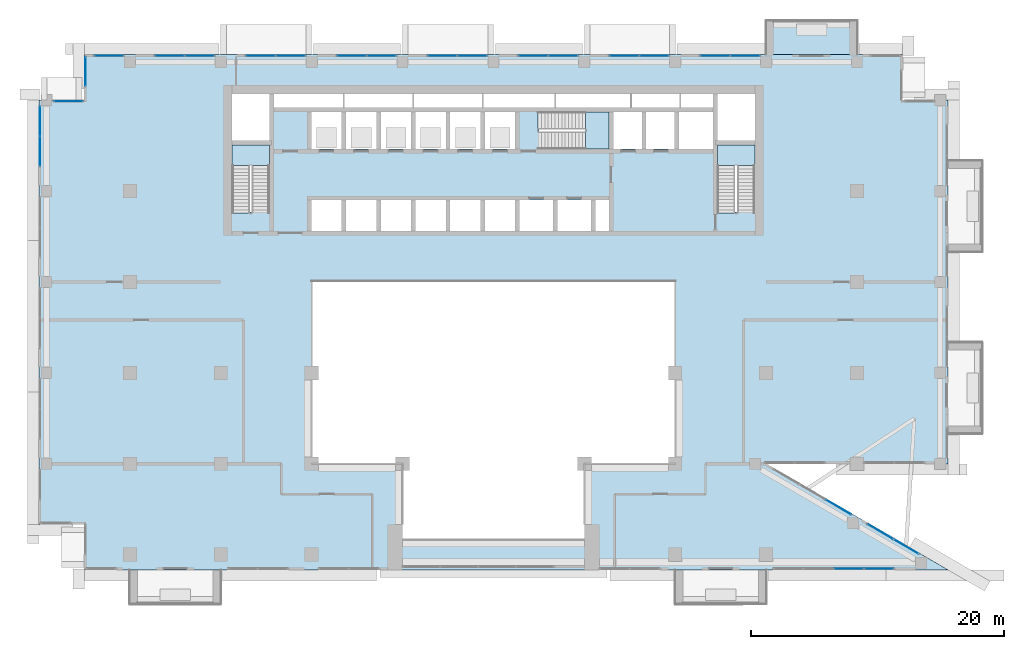
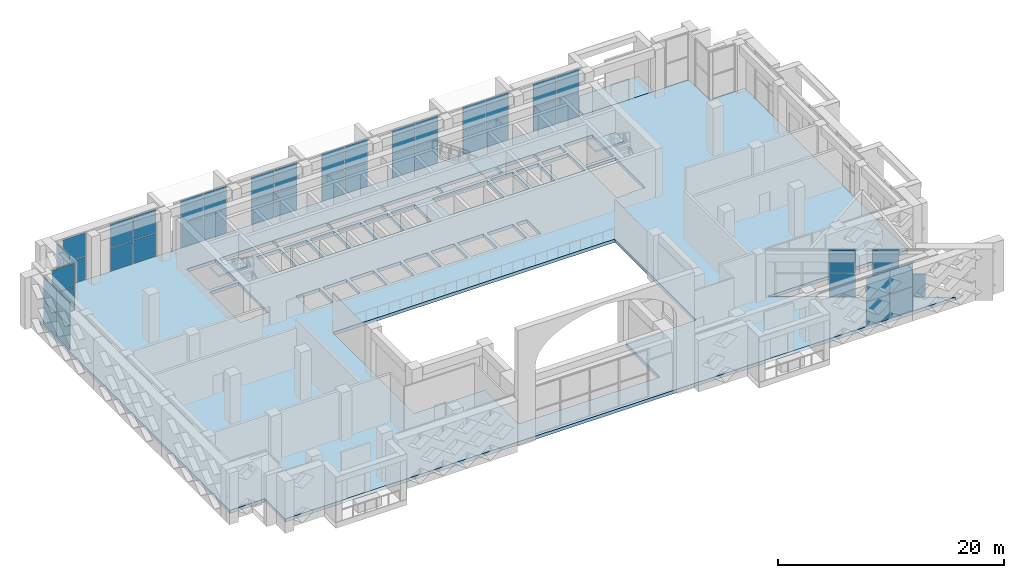
# One storey, part 13 of 25: 47 plates, 5 slabs, 17 elements without a shape of their own.
"""IFC4 building model written with IfcOpenShell, lengths in metres."""

from ifc_helpers import new_model, si_unit, direction, frame, origin, origin_2d, place, context, subcontext, project, spatial, polyline, rectangle, outline, extrude, source, transform, mapped, material, layer, layer_set, type_object, element, aggregate, save


model = new_model("IFC4")

# Units and contexts
model_context = context("Model", 3, precision=1e-05, world=origin(), true_north=direction((0.0, 1.0)))
body_context = subcontext(model_context, "Body", "Model", "MODEL_VIEW")
ifc_project = project(units=[si_unit("LENGTHUNIT", "METRE"), si_unit("AREAUNIT", "SQUARE_METRE"), si_unit("VOLUMEUNIT", "CUBIC_METRE"), si_unit("PLANEANGLEUNIT", "RADIAN"), si_unit("MASSUNIT", "GRAM", prefix="KILO")], contexts=[model_context])

# Site, building, storey
site_placement = place(None, origin())
site = spatial("IfcSite", under=ifc_project, at=site_placement, CompositionType="ELEMENT")
building_placement = place(site_placement, origin())
building = spatial("IfcBuilding", under=site, at=building_placement, Name="Saffron Iwan Residences", CompositionType="ELEMENT")
storey_placement = place(building_placement, frame((0.0, 0.0, 137.5)))
storey = spatial("IfcBuildingStorey", under=building, at=storey_placement, Name="L36", CompositionType="ELEMENT", Elevation=137.5)

# Slabs
ifc_material_1 = material(Name="Concrete C50/60 white painted", Category="concrete")
ifc_layer_1 = layer(ifc_material_1, 0.60009765625)
ifc_layer_set_1 = layer_set([ifc_layer_1], Name="Concrete C50/60 white painted")
slab_type_1 = type_object("IfcSlabType", Name="BALCONY FRAME SLAB 600", PredefinedType="FLOOR", material=ifc_layer_set_1)
slab_1_placement = place(storey_placement, frame((0.0, 0.0, -0.60009765625)))
element("IfcSlab", 1, at=slab_1_placement, inside=storey, type_object=slab_type_1, Name="Balcony frame slab L36 F5-0", PredefinedType="FLOOR", context=body_context, shape_type="SweptSolid", body=[
    extrude(outline(polyline([(79.199951171875, 83.10009765625), (72.0, 83.10009765625), (72.0, 80.39990234375), (79.199951171875, 80.39990234375), (79.199951171875, 83.10009765625)])), origin(), (0.0, 0.0, 1.0), 0.60009765625),
])
ifc_material_2 = material(Name="Concrete C40/50", Category="concrete")
ifc_layer_2 = layer(ifc_material_2, 0.35009765625)
ifc_layer_set_2 = layer_set([ifc_layer_2], Name="Concrete C40/50")
slab_type_2 = type_object("IfcSlabType", Name="PT PLATE 350 C40/50", PredefinedType="FLOOR", material=ifc_layer_set_2)
slab_2_placement = place(storey_placement, frame((0.0, 0.0, -0.35009765625)))
element("IfcSlab", 2, at=slab_2_placement, inside=storey, type_object=slab_type_2, Name="Floor slab L36", PredefinedType="FLOOR", context=body_context, shape_type="SweptSolid", body=[
    extrude(outline(polyline([(14.39990234375, 43.199951171875), (14.39990234375, 76.800048828125), (18.0, 76.800048828125), (18.0, 80.39990234375), (82.800048828125, 80.39990234375), (82.800048828125, 76.800048828125), (86.39990234375, 76.800048828125), (86.39990234375, 48.0), (72.0, 48.0), (86.39990234375, 39.60009765625), (18.0, 39.60009765625), (18.0, 43.199951171875), (14.39990234375, 43.199951171875)]), holes=[polyline([(64.800048828125, 48.0), (64.800048828125, 62.39990234375), (36.0, 62.39990234375), (36.0, 48.0), (43.199951171875, 48.0), (43.199951171875, 42.0), (57.60009765625, 42.0), (57.60009765625, 48.0), (64.800048828125, 48.0)]), polyline([(38.375, 68.875), (35.97509765625, 68.875), (35.97509765625, 66.449951171875), (38.375, 66.449951171875), (38.375, 68.875)]), polyline([(41.125, 66.449951171875), (41.125, 68.875), (38.72509765625, 68.875), (38.72509765625, 66.449951171875), (41.125, 66.449951171875)]), polyline([(43.875, 66.449951171875), (43.875, 68.875), (41.47509765625, 68.875), (41.47509765625, 66.449951171875), (43.875, 66.449951171875)]), polyline([(46.625, 66.449951171875), (46.625, 68.875), (44.22509765625, 68.875), (44.22509765625, 66.449951171875), (46.625, 66.449951171875)]), polyline([(49.375, 66.449951171875), (49.375, 68.875), (46.97509765625, 68.875), (46.97509765625, 66.449951171875), (49.375, 66.449951171875)]), polyline([(32.64990234375, 73.25), (29.699951171875, 73.25), (29.699951171875, 67.949951171875), (29.699951171875, 67.8505859375), (31.10009765625, 67.8505859375), (31.10009765625, 67.949951171875), (32.64990234375, 67.949951171875), (32.64990234375, 73.25)]), polyline([(38.375, 72.925048828125), (38.375, 75.875), (35.97509765625, 75.875), (35.97509765625, 72.925048828125), (38.375, 72.925048828125)]), polyline([(41.125, 72.925048828125), (41.125, 75.875), (38.72509765625, 75.875), (38.72509765625, 72.925048828125), (41.125, 72.925048828125)]), polyline([(43.875, 72.925048828125), (43.875, 75.875), (41.47509765625, 75.875), (41.47509765625, 72.925048828125), (43.875, 72.925048828125)]), polyline([(46.625, 72.925048828125), (46.625, 75.875), (44.22509765625, 75.875), (44.22509765625, 72.925048828125), (46.625, 72.925048828125)]), polyline([(49.375, 72.925048828125), (49.375, 75.875), (46.97509765625, 75.875), (46.97509765625, 72.925048828125), (49.375, 72.925048828125)]), polyline([(32.64990234375, 73.60009765625), (32.64990234375, 77.300048828125), (29.699951171875, 77.300048828125), (29.699951171875, 73.60009765625), (32.64990234375, 73.60009765625)]), polyline([(38.5, 76.22509765625), (38.5, 77.300048828125), (33.0, 77.300048828125), (33.0, 76.22509765625), (38.5, 76.22509765625)]), polyline([(44.0, 76.22509765625), (44.0, 77.300048828125), (38.60009765625, 77.300048828125), (38.60009765625, 76.22509765625), (44.0, 76.22509765625)]), polyline([(49.5, 76.22509765625), (49.5, 77.300048828125), (44.10009765625, 77.300048828125), (44.10009765625, 76.22509765625), (49.5, 76.22509765625)]), polyline([(52.125, 68.875), (49.72509765625, 68.875), (49.72509765625, 66.449951171875), (52.125, 66.449951171875), (52.125, 68.875)]), polyline([(55.125, 66.449951171875), (55.125, 68.875), (52.47509765625, 68.875), (52.47509765625, 66.449951171875), (55.125, 66.449951171875)]), polyline([(58.125, 66.449951171875), (58.125, 68.875), (55.47509765625, 68.875), (55.47509765625, 66.449951171875), (58.125, 66.449951171875)]), polyline([(59.550048828125, 66.449951171875), (59.550048828125, 68.875), (58.47509765625, 68.875), (58.47509765625, 66.449951171875), (59.550048828125, 66.449951171875)]), polyline([(71.10009765625, 73.25), (68.14990234375, 73.25), (68.14990234375, 67.949951171875), (68.14990234375, 67.8505859375), (69.550048828125, 67.8505859375), (69.550048828125, 67.949951171875), (71.10009765625, 67.949951171875), (71.10009765625, 73.25)]), polyline([(52.125, 72.925048828125), (52.125, 75.875), (49.72509765625, 75.875), (49.72509765625, 72.925048828125), (52.125, 72.925048828125)]), polyline([(53.925537109375, 74.47509765625), (54.02490234375, 74.47509765625), (54.02490234375, 72.925048828125), (59.550048828125, 72.925048828125), (59.550048828125, 75.875), (54.02490234375, 75.875), (53.925537109375, 75.875), (53.925537109375, 74.47509765625)]), polyline([(62.14990234375, 72.925048828125), (62.14990234375, 75.875), (59.89990234375, 75.875), (59.89990234375, 72.925048828125), (62.14990234375, 72.925048828125)]), polyline([(64.75, 72.925048828125), (64.75, 75.875), (62.5, 75.875), (62.5, 72.925048828125), (64.75, 72.925048828125)]), polyline([(67.800048828125, 72.925048828125), (67.800048828125, 75.875), (65.10009765625, 75.875), (65.10009765625, 72.925048828125), (67.800048828125, 72.925048828125)]), polyline([(71.10009765625, 73.60009765625), (71.10009765625, 77.300048828125), (68.14990234375, 77.300048828125), (68.14990234375, 73.60009765625), (71.10009765625, 73.60009765625)]), polyline([(55.25, 76.22509765625), (55.25, 77.300048828125), (49.60009765625, 77.300048828125), (49.60009765625, 76.22509765625), (55.25, 76.22509765625)]), polyline([(61.25, 76.22509765625), (61.25, 77.300048828125), (55.35009765625, 77.300048828125), (55.35009765625, 76.22509765625), (61.25, 76.22509765625)]), polyline([(65.14990234375, 76.22509765625), (65.14990234375, 77.300048828125), (61.35009765625, 77.300048828125), (61.35009765625, 76.22509765625), (65.14990234375, 76.22509765625)]), polyline([(67.800048828125, 76.22509765625), (67.800048828125, 77.300048828125), (65.25, 77.300048828125), (65.25, 76.22509765625), (67.800048828125, 76.22509765625)])]), origin(), (0.0, 0.0, 1.0), 0.35009765625),
])

# Stair, slab
ifc_material_3 = material(Name="Concrete C50/60", Category="concrete")
stair_type = type_object("IfcStairType", Name="Stair ST-CORE", PredefinedType="HALF_TURN_STAIR", material=ifc_material_3)
stair_1_placement = place(storey_placement, origin())
stair_1 = element("IfcStair", 3, at=stair_1_placement, inside=storey, type_object=stair_type, Name="L36 Exit Stair ST-W", PredefinedType="HALF_TURN_STAIR")
ifc_layer_3 = layer(ifc_material_3, 0.199951171875)
ifc_layer_set_3 = layer_set([ifc_layer_3], Name="Concrete C50/60")
slab_type_3 = type_object("IfcSlabType", Name="Stair landing SL-RC", PredefinedType="LANDING", material=ifc_layer_set_3)
slab_3_placement = place(storey_placement, frame((0.0, 0.0, 2.5498046875)))
slab_3 = element("IfcSlab", 4, at=slab_3_placement, type_object=slab_type_3, Name="ST-W landing 1", PredefinedType="LANDING", context=body_context, shape_type="SweptSolid", body=[
    extrude(outline(polyline([(32.64990234375, 71.6298828125), (32.64990234375, 73.25), (29.699951171875, 73.25), (29.699951171875, 71.6298828125), (32.64990234375, 71.6298828125)])), origin(), (0.0, 0.0, 1.0), 0.2001953125),
])
aggregate(stair_1, [slab_3])

stair_2_placement = place(storey_placement, origin())
stair_2 = element("IfcStair", 5, at=stair_2_placement, inside=storey, type_object=stair_type, Name="L36 Exit Stair ST-C", PredefinedType="HALF_TURN_STAIR")
slab_4_placement = place(storey_placement, frame((0.0, 0.0, 2.5498046875)))
slab_4 = element("IfcSlab", 6, at=slab_4_placement, type_object=slab_type_3, Name="ST-C landing 1", PredefinedType="LANDING", context=body_context, shape_type="SweptSolid", body=[
    extrude(outline(polyline([(57.705078125, 72.925048828125), (59.550048828125, 72.925048828125), (59.550048828125, 75.875), (57.705078125, 75.875), (57.705078125, 72.925048828125)])), origin(), (0.0, 0.0, 1.0), 0.2001953125),
])
aggregate(stair_2, [slab_4])

stair_3_placement = place(storey_placement, origin())
stair_3 = element("IfcStair", 7, at=stair_3_placement, inside=storey, type_object=stair_type, Name="L36 Exit Stair ST-E", PredefinedType="HALF_TURN_STAIR")
slab_5_placement = place(storey_placement, frame((0.0, 0.0, 2.5498046875)))
slab_5 = element("IfcSlab", 8, at=slab_5_placement, type_object=slab_type_3, Name="ST-E landing 1", PredefinedType="LANDING", context=body_context, shape_type="SweptSolid", body=[
    extrude(outline(polyline([(71.10009765625, 71.6298828125), (71.10009765625, 73.25), (68.14990234375, 73.25), (68.14990234375, 71.6298828125), (71.10009765625, 71.6298828125)])), origin(), (0.0, 0.0, 1.0), 0.2001953125),
])
aggregate(stair_3, [slab_5])

# Curtain wall, plates
ifc_material_4 = material(Name="Clear glass, laminated double glazed", Category="glass")
ifc_layer_4 = layer(ifc_material_4, 0.14990234375)
ifc_layer_set_4 = layer_set([ifc_layer_4], Name="Clear glass, laminated double glazed")
curtain_wall_type = type_object("IfcCurtainWallType", Name="CW-C SKY LOBBY GLAZING", PredefinedType="NOTDEFINED", material=ifc_layer_set_4)
curtain_wall_1_placement = place(storey_placement, origin())
curtain_wall_1 = element("IfcCurtainWall", 9, at=curtain_wall_1_placement, inside=storey, type_object=curtain_wall_type, Name="Glazing L36 F0.1", PredefinedType="NOTDEFINED")
ifc_layer_5 = layer(ifc_material_4, 0.028076171875)
ifc_layer_set_5 = layer_set([ifc_layer_5], Name="Clear glass, laminated double glazed")
plate_type = type_object("IfcPlateType", Name="CW-C PANEL 28", PredefinedType="CURTAIN_PANEL", material=ifc_layer_set_5)
shared_shape_1 = source(origin(), body_context, "Body", "SweptSolid", [
    extrude(rectangle(XDim=2.31005859375, YDim=0.028076171875, at=origin_2d()), origin(), (0.0, 0.0, 1.0), 2.510009765625),
])
plate_1_placement = place(storey_placement, frame((83.0869140625, 41.43994140625, 0.06005859375), z_axis=(0.0, 0.0, 1.0), x_axis=(-0.863778900842, 0.503871025622, 0.0)))
plate_1 = element("IfcPlate", 10, at=plate_1_placement, type_object=plate_type, Name="CW-C panel 1.1", PredefinedType="CURTAIN_PANEL", context=body_context, shape_type="MappedRepresentation", body=[
    mapped(shared_shape_1, transform((0.0, 0.0, 0.0))),
])
plate_2_placement = place(storey_placement, frame((81.039794921875, 42.634033203125, 0.06005859375), z_axis=(0.0, 0.0, 1.0), x_axis=(-0.863778900842, 0.503871025622, 0.0)))
plate_2 = element("IfcPlate", 11, at=plate_2_placement, type_object=plate_type, Name="CW-C panel 2.1", PredefinedType="CURTAIN_PANEL", context=body_context, shape_type="MappedRepresentation", body=[
    mapped(shared_shape_1, transform((0.0, 0.0, 0.0))),
])
plate_3_placement = place(storey_placement, frame((81.039794921875, 42.634033203125, 2.6298828125), z_axis=(0.0, 0.0, 1.0), x_axis=(-0.863778900842, 0.503871025622, 0.0)))
plate_3 = element("IfcPlate", 12, at=plate_3_placement, type_object=plate_type, Name="CW-C panel 2.2", PredefinedType="CURTAIN_PANEL", context=body_context, shape_type="MappedRepresentation", body=[
    mapped(shared_shape_1, transform((0.0, 0.0, 0.0))),
])
aggregate(curtain_wall_1, [plate_1, plate_2, plate_3])

curtain_wall_2_placement = place(storey_placement, origin())
curtain_wall_2 = element("IfcCurtainWall", 13, at=curtain_wall_2_placement, inside=storey, type_object=curtain_wall_type, Name="Glazing L36 F0.2", PredefinedType="NOTDEFINED")
plate_4_placement = place(storey_placement, frame((77.721435546875, 44.56982421875, 0.06005859375), z_axis=(0.0, 0.0, 1.0), x_axis=(-0.863778900929, 0.503871025471, 0.0)))
plate_4 = element("IfcPlate", 14, at=plate_4_placement, type_object=plate_type, Name="CW-C panel 1.1", PredefinedType="CURTAIN_PANEL", context=body_context, shape_type="MappedRepresentation", body=[
    mapped(shared_shape_1, transform((0.0, 0.0, 0.0))),
])
plate_5_placement = place(storey_placement, frame((77.721435546875, 44.56982421875, 2.6298828125), z_axis=(0.0, 0.0, 1.0), x_axis=(-0.863778900929, 0.503871025471, 0.0)))
plate_5 = element("IfcPlate", 15, at=plate_5_placement, type_object=plate_type, Name="CW-C panel 1.2", PredefinedType="CURTAIN_PANEL", context=body_context, shape_type="MappedRepresentation", body=[
    mapped(shared_shape_1, transform((0.0, 0.0, 0.0))),
])
aggregate(curtain_wall_2, [plate_4, plate_5])

curtain_wall_3_placement = place(storey_placement, origin())
curtain_wall_3 = element("IfcCurtainWall", 16, at=curtain_wall_3_placement, inside=storey, type_object=curtain_wall_type, Name="Glazing L36 F5.3", PredefinedType="NOTDEFINED")
plate_6_placement = place(storey_placement, frame((70.3349609375, 80.320068359375, 0.06005859375), z_axis=(0.0, 0.0, 1.0), x_axis=(-1.0, 0.0, 0.0)))
plate_6 = element("IfcPlate", 17, at=plate_6_placement, type_object=plate_type, Name="CW-C panel 1.1", PredefinedType="CURTAIN_PANEL", context=body_context, shape_type="MappedRepresentation", body=[
    mapped(shared_shape_1, transform((0.0, 0.0, 0.0))),
])
plate_7_placement = place(storey_placement, frame((70.3349609375, 80.320068359375, 2.6298828125), z_axis=(0.0, 0.0, 1.0), x_axis=(-1.0, 0.0, 0.0)))
plate_7 = element("IfcPlate", 18, at=plate_7_placement, type_object=plate_type, Name="CW-C panel 1.2", PredefinedType="CURTAIN_PANEL", context=body_context, shape_type="MappedRepresentation", body=[
    mapped(shared_shape_1, transform((0.0, 0.0, 0.0))),
])
plate_8_placement = place(storey_placement, frame((67.965087890625, 80.320068359375, 0.06005859375), z_axis=(0.0, 0.0, 1.0), x_axis=(-1.0, 0.0, 0.0)))
plate_8 = element("IfcPlate", 19, at=plate_8_placement, type_object=plate_type, Name="CW-C panel 2.1", PredefinedType="CURTAIN_PANEL", context=body_context, shape_type="MappedRepresentation", body=[
    mapped(shared_shape_1, transform((0.0, 0.0, 0.0))),
])
plate_9_placement = place(storey_placement, frame((67.965087890625, 80.320068359375, 2.6298828125), z_axis=(0.0, 0.0, 1.0), x_axis=(-1.0, 0.0, 0.0)))
plate_9 = element("IfcPlate", 20, at=plate_9_placement, type_object=plate_type, Name="CW-C panel 2.2", PredefinedType="CURTAIN_PANEL", context=body_context, shape_type="MappedRepresentation", body=[
    mapped(shared_shape_1, transform((0.0, 0.0, 0.0))),
])
aggregate(curtain_wall_3, [plate_6, plate_7, plate_8, plate_9])

curtain_wall_4_placement = place(storey_placement, origin())
curtain_wall_4 = element("IfcCurtainWall", 21, at=curtain_wall_4_placement, inside=storey, type_object=curtain_wall_type, Name="Glazing L36 F5.4", PredefinedType="NOTDEFINED")
plate_10_placement = place(storey_placement, frame((63.135009765625, 80.320068359375, 0.06005859375), z_axis=(0.0, 0.0, 1.0), x_axis=(-1.0, 0.0, 0.0)))
plate_10 = element("IfcPlate", 22, at=plate_10_placement, type_object=plate_type, Name="CW-C panel 1.1", PredefinedType="CURTAIN_PANEL", context=body_context, shape_type="MappedRepresentation", body=[
    mapped(shared_shape_1, transform((0.0, 0.0, 0.0))),
])
plate_11_placement = place(storey_placement, frame((63.135009765625, 80.320068359375, 2.6298828125), z_axis=(0.0, 0.0, 1.0), x_axis=(-1.0, 0.0, 0.0)))
plate_11 = element("IfcPlate", 23, at=plate_11_placement, type_object=plate_type, Name="CW-C panel 1.2", PredefinedType="CURTAIN_PANEL", context=body_context, shape_type="MappedRepresentation", body=[
    mapped(shared_shape_1, transform((0.0, 0.0, 0.0))),
])
plate_12_placement = place(storey_placement, frame((60.764892578125, 80.320068359375, 0.06005859375), z_axis=(0.0, 0.0, 1.0), x_axis=(-1.0, 0.0, 0.0)))
plate_12 = element("IfcPlate", 24, at=plate_12_placement, type_object=plate_type, Name="CW-C panel 2.1", PredefinedType="CURTAIN_PANEL", context=body_context, shape_type="MappedRepresentation", body=[
    mapped(shared_shape_1, transform((0.0, 0.0, 0.0))),
])
plate_13_placement = place(storey_placement, frame((60.764892578125, 80.320068359375, 2.6298828125), z_axis=(0.0, 0.0, 1.0), x_axis=(-1.0, 0.0, 0.0)))
plate_13 = element("IfcPlate", 25, at=plate_13_placement, type_object=plate_type, Name="CW-C panel 2.2", PredefinedType="CURTAIN_PANEL", context=body_context, shape_type="MappedRepresentation", body=[
    mapped(shared_shape_1, transform((0.0, 0.0, 0.0))),
])
aggregate(curtain_wall_4, [plate_10, plate_11, plate_12, plate_13])

curtain_wall_5_placement = place(storey_placement, origin())
curtain_wall_5 = element("IfcCurtainWall", 26, at=curtain_wall_5_placement, inside=storey, type_object=curtain_wall_type, Name="Glazing L36 F5.5", PredefinedType="NOTDEFINED")
plate_14_placement = place(storey_placement, frame((55.93505859375, 80.320068359375, 0.06005859375), z_axis=(0.0, 0.0, 1.0), x_axis=(-1.0, 0.0, 0.0)))
plate_14 = element("IfcPlate", 27, at=plate_14_placement, type_object=plate_type, Name="CW-C panel 1.1", PredefinedType="CURTAIN_PANEL", context=body_context, shape_type="MappedRepresentation", body=[
    mapped(shared_shape_1, transform((0.0, 0.0, 0.0))),
])
plate_15_placement = place(storey_placement, frame((55.93505859375, 80.320068359375, 2.6298828125), z_axis=(0.0, 0.0, 1.0), x_axis=(-1.0, 0.0, 0.0)))
plate_15 = element("IfcPlate", 28, at=plate_15_placement, type_object=plate_type, Name="CW-C panel 1.2", PredefinedType="CURTAIN_PANEL", context=body_context, shape_type="MappedRepresentation", body=[
    mapped(shared_shape_1, transform((0.0, 0.0, 0.0))),
])
plate_16_placement = place(storey_placement, frame((53.56494140625, 80.320068359375, 0.06005859375), z_axis=(0.0, 0.0, 1.0), x_axis=(-1.0, 0.0, 0.0)))
plate_16 = element("IfcPlate", 29, at=plate_16_placement, type_object=plate_type, Name="CW-C panel 2.1", PredefinedType="CURTAIN_PANEL", context=body_context, shape_type="MappedRepresentation", body=[
    mapped(shared_shape_1, transform((0.0, 0.0, 0.0))),
])
plate_17_placement = place(storey_placement, frame((53.56494140625, 80.320068359375, 2.6298828125), z_axis=(0.0, 0.0, 1.0), x_axis=(-1.0, 0.0, 0.0)))
plate_17 = element("IfcPlate", 30, at=plate_17_placement, type_object=plate_type, Name="CW-C panel 2.2", PredefinedType="CURTAIN_PANEL", context=body_context, shape_type="MappedRepresentation", body=[
    mapped(shared_shape_1, transform((0.0, 0.0, 0.0))),
])
aggregate(curtain_wall_5, [plate_14, plate_15, plate_16, plate_17])

curtain_wall_6_placement = place(storey_placement, origin())
curtain_wall_6 = element("IfcCurtainWall", 31, at=curtain_wall_6_placement, inside=storey, type_object=curtain_wall_type, Name="Glazing L36 F5.6", PredefinedType="NOTDEFINED")
plate_18_placement = place(storey_placement, frame((48.735107421875, 80.320068359375, 0.06005859375), z_axis=(0.0, 0.0, 1.0), x_axis=(-1.0, 0.0, 0.0)))
plate_18 = element("IfcPlate", 32, at=plate_18_placement, type_object=plate_type, Name="CW-C panel 1.1", PredefinedType="CURTAIN_PANEL", context=body_context, shape_type="MappedRepresentation", body=[
    mapped(shared_shape_1, transform((0.0, 0.0, 0.0))),
])
plate_19_placement = place(storey_placement, frame((48.735107421875, 80.320068359375, 2.6298828125), z_axis=(0.0, 0.0, 1.0), x_axis=(-1.0, 0.0, 0.0)))
plate_19 = element("IfcPlate", 33, at=plate_19_placement, type_object=plate_type, Name="CW-C panel 1.2", PredefinedType="CURTAIN_PANEL", context=body_context, shape_type="MappedRepresentation", body=[
    mapped(shared_shape_1, transform((0.0, 0.0, 0.0))),
])
plate_20_placement = place(storey_placement, frame((46.364990234375, 80.320068359375, 0.06005859375), z_axis=(0.0, 0.0, 1.0), x_axis=(-1.0, 0.0, 0.0)))
plate_20 = element("IfcPlate", 34, at=plate_20_placement, type_object=plate_type, Name="CW-C panel 2.1", PredefinedType="CURTAIN_PANEL", context=body_context, shape_type="MappedRepresentation", body=[
    mapped(shared_shape_1, transform((0.0, 0.0, 0.0))),
])
plate_21_placement = place(storey_placement, frame((46.364990234375, 80.320068359375, 2.6298828125), z_axis=(0.0, 0.0, 1.0), x_axis=(-1.0, 0.0, 0.0)))
plate_21 = element("IfcPlate", 35, at=plate_21_placement, type_object=plate_type, Name="CW-C panel 2.2", PredefinedType="CURTAIN_PANEL", context=body_context, shape_type="MappedRepresentation", body=[
    mapped(shared_shape_1, transform((0.0, 0.0, 0.0))),
])
aggregate(curtain_wall_6, [plate_18, plate_19, plate_20, plate_21])

curtain_wall_7_placement = place(storey_placement, origin())
curtain_wall_7 = element("IfcCurtainWall", 36, at=curtain_wall_7_placement, inside=storey, type_object=curtain_wall_type, Name="Glazing L36 F5.7", PredefinedType="NOTDEFINED")
plate_22_placement = place(storey_placement, frame((41.534912109375, 80.320068359375, 0.06005859375), z_axis=(0.0, 0.0, 1.0), x_axis=(-1.0, 0.0, 0.0)))
plate_22 = element("IfcPlate", 37, at=plate_22_placement, type_object=plate_type, Name="CW-C panel 1.1", PredefinedType="CURTAIN_PANEL", context=body_context, shape_type="MappedRepresentation", body=[
    mapped(shared_shape_1, transform((0.0, 0.0, 0.0))),
])
plate_23_placement = place(storey_placement, frame((41.534912109375, 80.320068359375, 2.6298828125), z_axis=(0.0, 0.0, 1.0), x_axis=(-1.0, 0.0, 0.0)))
plate_23 = element("IfcPlate", 38, at=plate_23_placement, type_object=plate_type, Name="CW-C panel 1.2", PredefinedType="CURTAIN_PANEL", context=body_context, shape_type="MappedRepresentation", body=[
    mapped(shared_shape_1, transform((0.0, 0.0, 0.0))),
])
plate_24_placement = place(storey_placement, frame((39.1650390625, 80.320068359375, 0.06005859375), z_axis=(0.0, 0.0, 1.0), x_axis=(-1.0, 0.0, 0.0)))
plate_24 = element("IfcPlate", 39, at=plate_24_placement, type_object=plate_type, Name="CW-C panel 2.1", PredefinedType="CURTAIN_PANEL", context=body_context, shape_type="MappedRepresentation", body=[
    mapped(shared_shape_1, transform((0.0, 0.0, 0.0))),
])
plate_25_placement = place(storey_placement, frame((39.1650390625, 80.320068359375, 2.6298828125), z_axis=(0.0, 0.0, 1.0), x_axis=(-1.0, 0.0, 0.0)))
plate_25 = element("IfcPlate", 40, at=plate_25_placement, type_object=plate_type, Name="CW-C panel 2.2", PredefinedType="CURTAIN_PANEL", context=body_context, shape_type="MappedRepresentation", body=[
    mapped(shared_shape_1, transform((0.0, 0.0, 0.0))),
])
aggregate(curtain_wall_7, [plate_22, plate_23, plate_24, plate_25])

curtain_wall_8_placement = place(storey_placement, origin())
curtain_wall_8 = element("IfcCurtainWall", 41, at=curtain_wall_8_placement, inside=storey, type_object=curtain_wall_type, Name="Glazing L36 F5.8", PredefinedType="NOTDEFINED")
plate_26_placement = place(storey_placement, frame((34.3349609375, 80.320068359375, 0.06005859375), z_axis=(0.0, 0.0, 1.0), x_axis=(-1.0, 0.0, 0.0)))
plate_26 = element("IfcPlate", 42, at=plate_26_placement, type_object=plate_type, Name="CW-C panel 1.1", PredefinedType="CURTAIN_PANEL", context=body_context, shape_type="MappedRepresentation", body=[
    mapped(shared_shape_1, transform((0.0, 0.0, 0.0))),
])
plate_27_placement = place(storey_placement, frame((34.3349609375, 80.320068359375, 2.6298828125), z_axis=(0.0, 0.0, 1.0), x_axis=(-1.0, 0.0, 0.0)))
plate_27 = element("IfcPlate", 43, at=plate_27_placement, type_object=plate_type, Name="CW-C panel 1.2", PredefinedType="CURTAIN_PANEL", context=body_context, shape_type="MappedRepresentation", body=[
    mapped(shared_shape_1, transform((0.0, 0.0, 0.0))),
])
plate_28_placement = place(storey_placement, frame((31.965087890625, 80.320068359375, 0.06005859375), z_axis=(0.0, 0.0, 1.0), x_axis=(-1.0, 0.0, 0.0)))
plate_28 = element("IfcPlate", 44, at=plate_28_placement, type_object=plate_type, Name="CW-C panel 2.1", PredefinedType="CURTAIN_PANEL", context=body_context, shape_type="MappedRepresentation", body=[
    mapped(shared_shape_1, transform((0.0, 0.0, 0.0))),
])
plate_29_placement = place(storey_placement, frame((31.965087890625, 80.320068359375, 2.6298828125), z_axis=(0.0, 0.0, 1.0), x_axis=(-1.0, 0.0, 0.0)))
plate_29 = element("IfcPlate", 45, at=plate_29_placement, type_object=plate_type, Name="CW-C panel 2.2", PredefinedType="CURTAIN_PANEL", context=body_context, shape_type="MappedRepresentation", body=[
    mapped(shared_shape_1, transform((0.0, 0.0, 0.0))),
])
aggregate(curtain_wall_8, [plate_26, plate_27, plate_28, plate_29])

curtain_wall_9_placement = place(storey_placement, origin())
curtain_wall_9 = element("IfcCurtainWall", 46, at=curtain_wall_9_placement, inside=storey, type_object=curtain_wall_type, Name="Glazing L36 F5.9", PredefinedType="NOTDEFINED")
plate_30_placement = place(storey_placement, frame((27.135009765625, 80.320068359375, 0.06005859375), z_axis=(0.0, 0.0, 1.0), x_axis=(-1.0, 0.0, 0.0)))
plate_30 = element("IfcPlate", 47, at=plate_30_placement, type_object=plate_type, Name="CW-C panel 1.1", PredefinedType="CURTAIN_PANEL", context=body_context, shape_type="MappedRepresentation", body=[
    mapped(shared_shape_1, transform((0.0, 0.0, 0.0))),
])
plate_31_placement = place(storey_placement, frame((27.135009765625, 80.320068359375, 2.6298828125), z_axis=(0.0, 0.0, 1.0), x_axis=(-1.0, 0.0, 0.0)))
plate_31 = element("IfcPlate", 48, at=plate_31_placement, type_object=plate_type, Name="CW-C panel 1.2", PredefinedType="CURTAIN_PANEL", context=body_context, shape_type="MappedRepresentation", body=[
    mapped(shared_shape_1, transform((0.0, 0.0, 0.0))),
])
plate_32_placement = place(storey_placement, frame((24.764892578125, 80.320068359375, 0.06005859375), z_axis=(0.0, 0.0, 1.0), x_axis=(-1.0, 0.0, 0.0)))
plate_32 = element("IfcPlate", 49, at=plate_32_placement, type_object=plate_type, Name="CW-C panel 2.1", PredefinedType="CURTAIN_PANEL", context=body_context, shape_type="MappedRepresentation", body=[
    mapped(shared_shape_1, transform((0.0, 0.0, 0.0))),
])
plate_33_placement = place(storey_placement, frame((24.764892578125, 80.320068359375, 2.6298828125), z_axis=(0.0, 0.0, 1.0), x_axis=(-1.0, 0.0, 0.0)))
plate_33 = element("IfcPlate", 50, at=plate_33_placement, type_object=plate_type, Name="CW-C panel 2.2", PredefinedType="CURTAIN_PANEL", context=body_context, shape_type="MappedRepresentation", body=[
    mapped(shared_shape_1, transform((0.0, 0.0, 0.0))),
])
aggregate(curtain_wall_9, [plate_30, plate_31, plate_32, plate_33])

curtain_wall_10_placement = place(storey_placement, origin())
curtain_wall_10 = element("IfcCurtainWall", 51, at=curtain_wall_10_placement, inside=storey, type_object=curtain_wall_type, Name="Glazing L36 F8.0", PredefinedType="NOTDEFINED")
plate_34_placement = place(storey_placement, frame((14.47998046875, 75.135009765625, 0.06005859375), z_axis=(0.0, 0.0, 1.0), x_axis=(0.0, -1.0, 0.0)))
plate_34 = element("IfcPlate", 52, at=plate_34_placement, type_object=plate_type, Name="CW-C panel 1.1", PredefinedType="CURTAIN_PANEL", context=body_context, shape_type="MappedRepresentation", body=[
    mapped(shared_shape_1, transform((0.0, 0.0, 0.0))),
])
plate_35_placement = place(storey_placement, frame((14.47998046875, 75.135009765625, 2.6298828125), z_axis=(0.0, 0.0, 1.0), x_axis=(0.0, -1.0, 0.0)))
plate_35 = element("IfcPlate", 53, at=plate_35_placement, type_object=plate_type, Name="CW-C panel 1.2", PredefinedType="CURTAIN_PANEL", context=body_context, shape_type="MappedRepresentation", body=[
    mapped(shared_shape_1, transform((0.0, 0.0, 0.0))),
])
plate_36_placement = place(storey_placement, frame((14.47998046875, 72.764892578125, 0.06005859375), z_axis=(0.0, 0.0, 1.0), x_axis=(0.0, -1.0, 0.0)))
plate_36 = element("IfcPlate", 54, at=plate_36_placement, type_object=plate_type, Name="CW-C panel 2.1", PredefinedType="CURTAIN_PANEL", context=body_context, shape_type="MappedRepresentation", body=[
    mapped(shared_shape_1, transform((0.0, 0.0, 0.0))),
])
plate_37_placement = place(storey_placement, frame((14.47998046875, 72.764892578125, 2.6298828125), z_axis=(0.0, 0.0, 1.0), x_axis=(0.0, -1.0, 0.0)))
plate_37 = element("IfcPlate", 55, at=plate_37_placement, type_object=plate_type, Name="CW-C panel 2.2", PredefinedType="CURTAIN_PANEL", context=body_context, shape_type="MappedRepresentation", body=[
    mapped(shared_shape_1, transform((0.0, 0.0, 0.0))),
])
aggregate(curtain_wall_10, [plate_34, plate_35, plate_36, plate_37])

curtain_wall_11_placement = place(storey_placement, origin())
curtain_wall_11 = element("IfcCurtainWall", 56, at=curtain_wall_11_placement, inside=storey, type_object=curtain_wall_type, Name="Glazing L36 F11.8", PredefinedType="NOTDEFINED")
plate_38_placement = place(storey_placement, frame((80.93505859375, 39.679931640625, 0.06005859375), z_axis=(0.0, 0.0, 1.0), x_axis=(1.0, 0.0, 0.0)))
plate_38 = element("IfcPlate", 57, at=plate_38_placement, type_object=plate_type, Name="CW-C panel 4.1", PredefinedType="CURTAIN_PANEL", context=body_context, shape_type="MappedRepresentation", body=[
    mapped(shared_shape_1, transform((0.0, 0.0, 0.0))),
])
plate_39_placement = place(storey_placement, frame((80.93505859375, 39.679931640625, 2.6298828125), z_axis=(0.0, 0.0, 1.0), x_axis=(1.0, 0.0, 0.0)))
plate_39 = element("IfcPlate", 58, at=plate_39_placement, type_object=plate_type, Name="CW-C panel 4.2", PredefinedType="CURTAIN_PANEL", context=body_context, shape_type="MappedRepresentation", body=[
    mapped(shared_shape_1, transform((0.0, 0.0, 0.0))),
])
shared_shape_2 = source(origin(), body_context, "Body", "SweptSolid", [
    extrude(rectangle(XDim=2.340087890625, YDim=0.028076171875, at=origin_2d()), origin(), (0.0, 0.0, 1.0), 2.510009765625),
])
plate_40_placement = place(storey_placement, frame((78.550048828125, 39.679931640625, 0.06005859375), z_axis=(0.0, 0.0, 1.0), x_axis=(1.0, 0.0, 0.0)))
plate_40 = element("IfcPlate", 59, at=plate_40_placement, type_object=plate_type, Name="CW-C panel 3.1", PredefinedType="CURTAIN_PANEL", context=body_context, shape_type="MappedRepresentation", body=[
    mapped(shared_shape_2, transform((0.0, 0.0, 0.0))),
])
plate_41_placement = place(storey_placement, frame((78.550048828125, 39.679931640625, 2.6298828125), z_axis=(0.0, 0.0, 1.0), x_axis=(1.0, 0.0, 0.0)))
plate_41 = element("IfcPlate", 60, at=plate_41_placement, type_object=plate_type, Name="CW-C panel 3.2", PredefinedType="CURTAIN_PANEL", context=body_context, shape_type="MappedRepresentation", body=[
    mapped(shared_shape_2, transform((0.0, 0.0, 0.0))),
])
aggregate(curtain_wall_11, [plate_40, plate_41, plate_38, plate_39])

curtain_wall_12_placement = place(storey_placement, origin())
curtain_wall_12 = element("IfcCurtainWall", 61, at=curtain_wall_12_placement, inside=storey, type_object=curtain_wall_type, Name="Glazing L36 F5.10", PredefinedType="NOTDEFINED")
shared_shape_3 = source(origin(), body_context, "Body", "SweptSolid", [
    extrude(rectangle(XDim=2.280029296875, YDim=0.028076171875, at=origin_2d()), origin(), (0.0, 0.0, 1.0), 2.510009765625),
])
plate_42_placement = place(storey_placement, frame((19.949951171875, 80.320068359375, 0.06005859375), z_axis=(0.0, 0.0, 1.0), x_axis=(-1.0, 0.0, 0.0)))
plate_42 = element("IfcPlate", 62, at=plate_42_placement, type_object=plate_type, Name="CW-C panel 1.1", PredefinedType="CURTAIN_PANEL", context=body_context, shape_type="MappedRepresentation", body=[
    mapped(shared_shape_3, transform((0.0, 0.0, 0.0))),
])
plate_43_placement = place(storey_placement, frame((19.949951171875, 80.320068359375, 2.6298828125), z_axis=(0.0, 0.0, 1.0), x_axis=(-1.0, 0.0, 0.0)))
plate_43 = element("IfcPlate", 63, at=plate_43_placement, type_object=plate_type, Name="CW-C panel 1.2", PredefinedType="CURTAIN_PANEL", context=body_context, shape_type="MappedRepresentation", body=[
    mapped(shared_shape_3, transform((0.0, 0.0, 0.0))),
])
aggregate(curtain_wall_12, [plate_42, plate_43])

curtain_wall_13_placement = place(storey_placement, origin())
curtain_wall_13 = element("IfcCurtainWall", 64, at=curtain_wall_13_placement, inside=storey, type_object=curtain_wall_type, Name="Glazing L36 F6.0", PredefinedType="NOTDEFINED")
plate_44_placement = place(storey_placement, frame((18.080078125, 79.070068359375, 0.06005859375), z_axis=(0.0, 0.0, 1.0), x_axis=(0.0, -1.0, 0.0)))
plate_44 = element("IfcPlate", 65, at=plate_44_placement, type_object=plate_type, Name="CW-C panel 1.1", PredefinedType="CURTAIN_PANEL", context=body_context, shape_type="MappedRepresentation", body=[
    mapped(shared_shape_3, transform((0.0, 0.0, 0.0))),
])
plate_45_placement = place(storey_placement, frame((18.080078125, 79.070068359375, 2.6298828125), z_axis=(0.0, 0.0, 1.0), x_axis=(0.0, -1.0, 0.0)))
plate_45 = element("IfcPlate", 66, at=plate_45_placement, type_object=plate_type, Name="CW-C panel 1.2", PredefinedType="CURTAIN_PANEL", context=body_context, shape_type="MappedRepresentation", body=[
    mapped(shared_shape_3, transform((0.0, 0.0, 0.0))),
])
aggregate(curtain_wall_13, [plate_44, plate_45])

curtain_wall_14_placement = place(storey_placement, origin())
curtain_wall_14 = element("IfcCurtainWall", 67, at=curtain_wall_14_placement, inside=storey, type_object=curtain_wall_type, Name="Glazing L36 F7.0", PredefinedType="NOTDEFINED")
plate_46_placement = place(storey_placement, frame((16.739990234375, 76.719970703125, 0.06005859375), z_axis=(0.0, 0.0, 1.0), x_axis=(-1.0, 0.0, 0.0)))
plate_46 = element("IfcPlate", 68, at=plate_46_placement, type_object=plate_type, Name="CW-C panel 1.1", PredefinedType="CURTAIN_PANEL", context=body_context, shape_type="MappedRepresentation", body=[
    mapped(shared_shape_3, transform((0.0, 0.0, 0.0))),
])
plate_47_placement = place(storey_placement, frame((16.739990234375, 76.719970703125, 2.6298828125), z_axis=(0.0, 0.0, 1.0), x_axis=(-1.0, 0.0, 0.0)))
plate_47 = element("IfcPlate", 69, at=plate_47_placement, type_object=plate_type, Name="CW-C panel 1.2", PredefinedType="CURTAIN_PANEL", context=body_context, shape_type="MappedRepresentation", body=[
    mapped(shared_shape_3, transform((0.0, 0.0, 0.0))),
])
aggregate(curtain_wall_14, [plate_46, plate_47])

save(model, "model.ifc")
